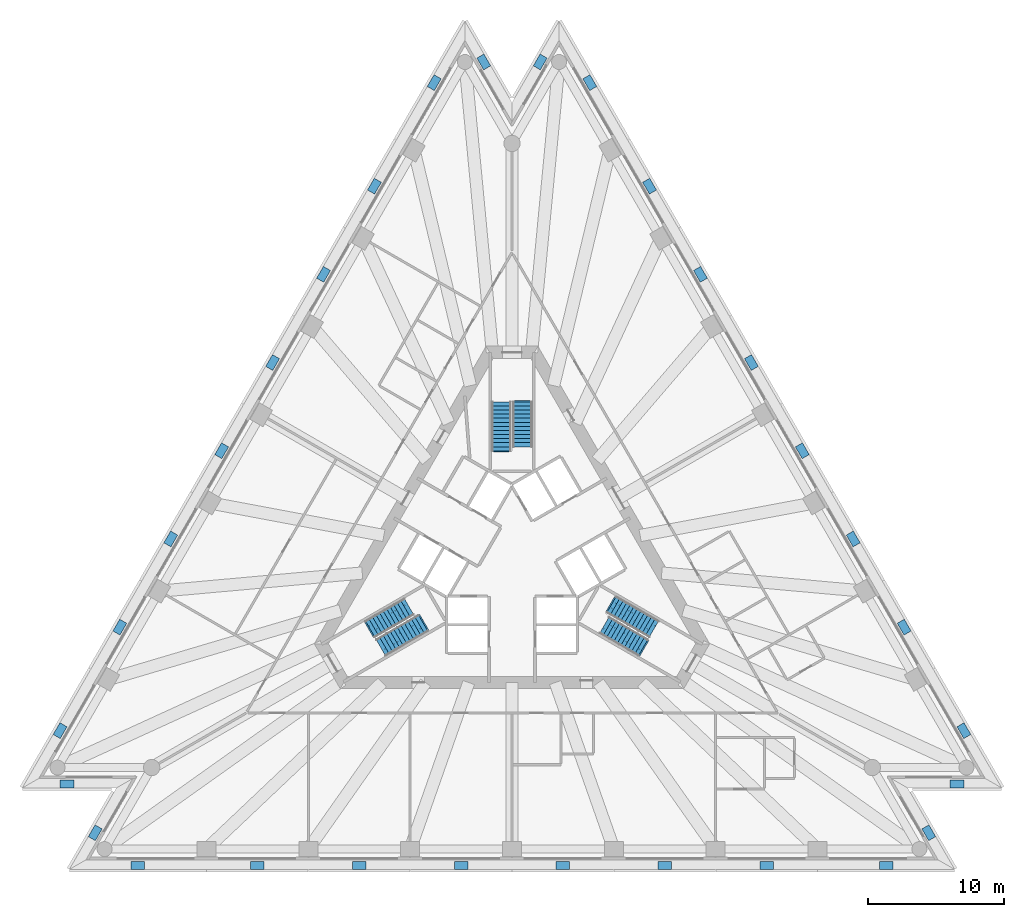
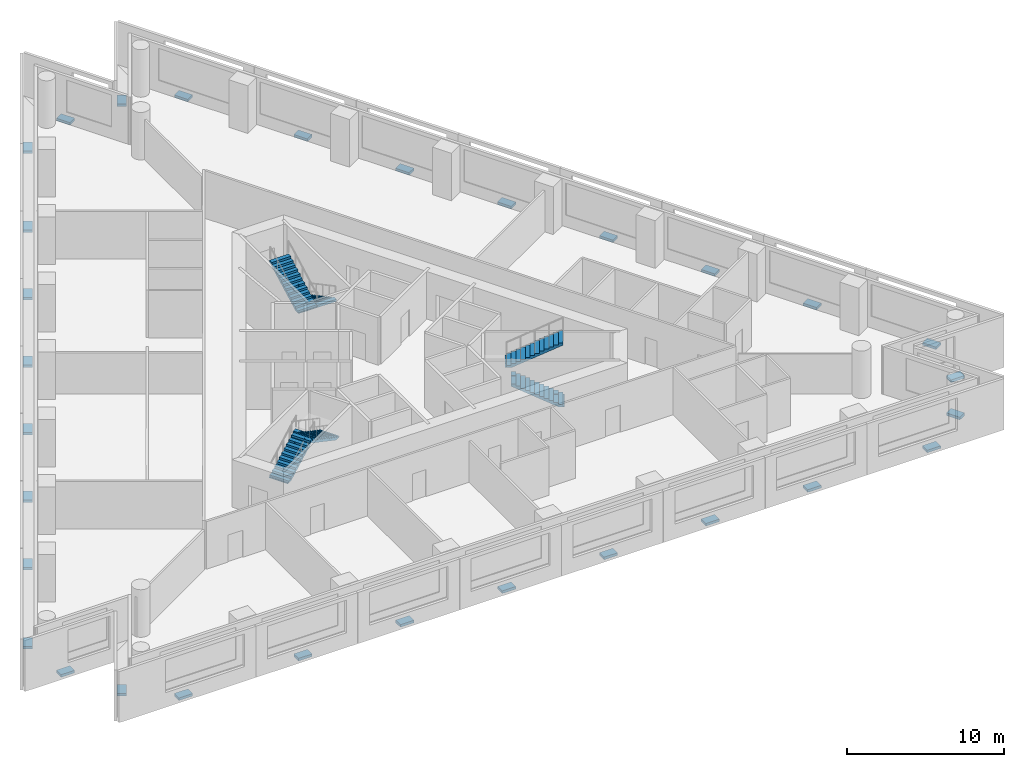
# One storey, part 7 of 9: 30 discrete accessories, 6 stair flights, 3 elements without a shape of their own.
"""IFC4 building model written with IfcOpenShell, lengths in metres."""

from ifc_helpers import new_model, si_unit, direction, frame, origin, origin_2d, place, context, subcontext, project, spatial, polyline, rectangle, outline, extrude, material, type_object, element, aggregate, save


model = new_model("IFC4")

# Units and contexts
model_context = context("Model", 3, precision=1e-05, world=origin(), true_north=direction((0.0, 1.0)))
body_context = subcontext(model_context, "Body", "Model", "MODEL_VIEW")
ifc_project = project(units=[si_unit("LENGTHUNIT", "METRE"), si_unit("AREAUNIT", "SQUARE_METRE"), si_unit("VOLUMEUNIT", "CUBIC_METRE"), si_unit("PLANEANGLEUNIT", "RADIAN"), si_unit("MASSUNIT", "GRAM", prefix="KILO")], contexts=[model_context])

# Site, building, storey
site_placement = place(None, origin())
site = spatial("IfcSite", under=ifc_project, at=site_placement, CompositionType="ELEMENT")
building_placement = place(site_placement, origin())
building = spatial("IfcBuilding", under=site, at=building_placement, Name="Triada Interchange Tower", CompositionType="ELEMENT")
storey_placement = place(building_placement, frame((0.0, 0.0, 51.300048828125)))
storey = spatial("IfcBuildingStorey", under=building, at=storey_placement, Name="L10", CompositionType="ELEMENT", Elevation=51.300048828125)

# Stair, stair flights
ifc_material_1 = material(Name="Concrete C35/45", Category="concrete")
stair_type = type_object("IfcStairType", Name="HALF TURN STAIR 1400", PredefinedType="HALF_TURN_STAIR", material=ifc_material_1)
stair_1_placement = place(storey_placement, origin())
stair_1 = element("IfcStair", 1, at=stair_1_placement, inside=storey, type_object=stair_type, Name="Exit stair S09-1", PredefinedType="HALF_TURN_STAIR")
stair_flight_type = type_object("IfcStairFlightType", Name="STRAIGHT STAIR FLIGHT 1400", PredefinedType="STRAIGHT", material=ifc_material_1)
stair_flight_1_placement = place(storey_placement, frame((0.800048828125, 11.60009765625, 0.0), z_axis=(0.0, 0.0, 1.0), x_axis=(0.0, -1.0, 0.0)))
stair_flight_1 = element("IfcStairFlight", 2, at=stair_flight_1_placement, type_object=stair_flight_type, Name="S09-1 flight 1", NumberOfRisers=12, NumberOfTreads=11, PredefinedType="STRAIGHT", RiserHeight=0.16, TreadLength=0.3, context=body_context, shape_type="SweptSolid", body=[
    extrude(outline(polyline([(-0.10009765625, 0.0), (-0.10009765625, 0.02001953125), (0.0, 0.02001953125), (0.0, 0.159912109375), (0.300048828125, 0.159912109375), (0.300048828125, 0.320068359375), (0.60009765625, 0.320068359375), (0.60009765625, 0.47998046875), (0.89990234375, 0.47998046875), (0.89990234375, 0.639892578125), (1.199951171875, 0.639892578125), (1.199951171875, 0.800048828125), (1.5, 0.800048828125), (1.5, 0.9599609375), (1.800048828125, 0.9599609375), (1.800048828125, 1.1201171875), (2.10009765625, 1.1201171875), (2.10009765625, 1.280029296875), (2.39990234375, 1.280029296875), (2.39990234375, 1.43994140625), (2.699951171875, 1.43994140625), (2.699951171875, 1.60009765625), (3.0, 1.60009765625), (3.0, 1.760009765625), (3.300048828125, 1.760009765625), (3.303955078125, 1.760009765625), (3.303955078125, 1.919921875), (3.303955078125, 1.590087890625), (0.318603515625, 0.0), (-0.10009765625, 0.0)])), frame((0.0, 0.699951171875, 0.0), z_axis=(0.0, -1.0, 0.0), x_axis=(1.0, 0.0, 0.0)), (0.0, 0.0, 1.0), 0.46533203125),
    extrude(outline(polyline([(-0.10009765625, 0.0), (-0.10009765625, 0.02001953125), (0.0, 0.02001953125), (0.0, 0.159912109375), (0.300048828125, 0.159912109375), (0.300048828125, 0.320068359375), (0.60009765625, 0.320068359375), (0.60009765625, 0.47998046875), (0.89990234375, 0.47998046875), (0.89990234375, 0.639892578125), (1.199951171875, 0.639892578125), (1.199951171875, 0.800048828125), (1.5, 0.800048828125), (1.5, 0.9599609375), (1.800048828125, 0.9599609375), (1.800048828125, 1.1201171875), (2.10009765625, 1.1201171875), (2.10009765625, 1.280029296875), (2.39990234375, 1.280029296875), (2.39990234375, 1.43994140625), (2.699951171875, 1.43994140625), (2.699951171875, 1.60009765625), (3.0, 1.60009765625), (3.0, 1.760009765625), (3.300048828125, 1.760009765625), (3.303955078125, 1.760009765625), (3.303955078125, 1.919921875), (3.303955078125, 1.590087890625), (0.318603515625, 0.0), (-0.10009765625, 0.0)])), frame((0.0, 0.232666015625, 0.0), z_axis=(0.0, -1.0, 0.0), x_axis=(1.0, 0.0, 0.0)), (0.0, 0.0, 1.0), 0.46533203125),
    extrude(outline(polyline([(-0.10009765625, 0.0), (-0.10009765625, 0.02001953125), (0.0, 0.02001953125), (0.0, 0.159912109375), (0.300048828125, 0.159912109375), (0.300048828125, 0.320068359375), (0.60009765625, 0.320068359375), (0.60009765625, 0.47998046875), (0.89990234375, 0.47998046875), (0.89990234375, 0.639892578125), (1.199951171875, 0.639892578125), (1.199951171875, 0.800048828125), (1.5, 0.800048828125), (1.5, 0.9599609375), (1.800048828125, 0.9599609375), (1.800048828125, 1.1201171875), (2.10009765625, 1.1201171875), (2.10009765625, 1.280029296875), (2.39990234375, 1.280029296875), (2.39990234375, 1.43994140625), (2.699951171875, 1.43994140625), (2.699951171875, 1.60009765625), (3.0, 1.60009765625), (3.0, 1.760009765625), (3.300048828125, 1.760009765625), (3.303955078125, 1.760009765625), (3.303955078125, 1.919921875), (3.303955078125, 1.590087890625), (0.318603515625, 0.0), (-0.10009765625, 0.0)])), frame((0.0, -0.234619140625, 0.0), z_axis=(0.0, -1.0, 0.0), x_axis=(1.0, 0.0, 0.0)), (0.0, 0.0, 1.0), 0.46533203125),
])
stair_flight_2_placement = place(storey_placement, frame((-0.800048828125, 8.0, 1.919921875), z_axis=(0.0, 0.0, 1.0), x_axis=(0.0, 1.0, 0.0)))
stair_flight_2 = element("IfcStairFlight", 3, at=stair_flight_2_placement, type_object=stair_flight_type, Name="S09-1 flight 2", NumberOfRisers=13, NumberOfTreads=12, PredefinedType="STRAIGHT", RiserHeight=0.16, TreadLength=0.3, context=body_context, shape_type="SweptSolid", body=[
    extrude(outline(polyline([(-0.10009765625, 0.0), (-0.10009765625, 0.02001953125), (0.0, 0.02001953125), (0.0, 0.159912109375), (0.300048828125, 0.159912109375), (0.300048828125, 0.320068359375), (0.60009765625, 0.320068359375), (0.60009765625, 0.47998046875), (0.89990234375, 0.47998046875), (0.89990234375, 0.639892578125), (1.199951171875, 0.639892578125), (1.199951171875, 0.800048828125), (1.5, 0.800048828125), (1.5, 0.9599609375), (1.800048828125, 0.9599609375), (1.800048828125, 1.1201171875), (2.10009765625, 1.1201171875), (2.10009765625, 1.280029296875), (2.39990234375, 1.280029296875), (2.39990234375, 1.43994140625), (2.699951171875, 1.43994140625), (2.699951171875, 1.60009765625), (3.0, 1.60009765625), (3.0, 1.760009765625), (3.300048828125, 1.760009765625), (3.300048828125, 1.919921875), (3.60009765625, 1.919921875), (3.60400390625, 1.919921875), (3.60400390625, 2.080078125), (3.60400390625, 1.75), (0.318603515625, 0.0), (-0.10009765625, 0.0)])), frame((0.0, 0.699951171875, 0.0), z_axis=(0.0, -1.0, 0.0), x_axis=(1.0, 0.0, 0.0)), (0.0, 0.0, 1.0), 0.46533203125),
    extrude(outline(polyline([(-0.10009765625, 0.0), (-0.10009765625, 0.02001953125), (0.0, 0.02001953125), (0.0, 0.159912109375), (0.300048828125, 0.159912109375), (0.300048828125, 0.320068359375), (0.60009765625, 0.320068359375), (0.60009765625, 0.47998046875), (0.89990234375, 0.47998046875), (0.89990234375, 0.639892578125), (1.199951171875, 0.639892578125), (1.199951171875, 0.800048828125), (1.5, 0.800048828125), (1.5, 0.9599609375), (1.800048828125, 0.9599609375), (1.800048828125, 1.1201171875), (2.10009765625, 1.1201171875), (2.10009765625, 1.280029296875), (2.39990234375, 1.280029296875), (2.39990234375, 1.43994140625), (2.699951171875, 1.43994140625), (2.699951171875, 1.60009765625), (3.0, 1.60009765625), (3.0, 1.760009765625), (3.300048828125, 1.760009765625), (3.300048828125, 1.919921875), (3.60009765625, 1.919921875), (3.60400390625, 1.919921875), (3.60400390625, 2.080078125), (3.60400390625, 1.75), (0.318603515625, 0.0), (-0.10009765625, 0.0)])), frame((0.0, 0.232666015625, 0.0), z_axis=(0.0, -1.0, 0.0), x_axis=(1.0, 0.0, 0.0)), (0.0, 0.0, 1.0), 0.46533203125),
    extrude(outline(polyline([(-0.10009765625, 0.0), (-0.10009765625, 0.02001953125), (0.0, 0.02001953125), (0.0, 0.159912109375), (0.300048828125, 0.159912109375), (0.300048828125, 0.320068359375), (0.60009765625, 0.320068359375), (0.60009765625, 0.47998046875), (0.89990234375, 0.47998046875), (0.89990234375, 0.639892578125), (1.199951171875, 0.639892578125), (1.199951171875, 0.800048828125), (1.5, 0.800048828125), (1.5, 0.9599609375), (1.800048828125, 0.9599609375), (1.800048828125, 1.1201171875), (2.10009765625, 1.1201171875), (2.10009765625, 1.280029296875), (2.39990234375, 1.280029296875), (2.39990234375, 1.43994140625), (2.699951171875, 1.43994140625), (2.699951171875, 1.60009765625), (3.0, 1.60009765625), (3.0, 1.760009765625), (3.300048828125, 1.760009765625), (3.300048828125, 1.919921875), (3.60009765625, 1.919921875), (3.60400390625, 1.919921875), (3.60400390625, 2.080078125), (3.60400390625, 1.75), (0.318603515625, 0.0), (-0.10009765625, 0.0)])), frame((0.0, -0.234619140625, 0.0), z_axis=(0.0, -1.0, 0.0), x_axis=(1.0, 0.0, 0.0)), (0.0, 0.0, 1.0), 0.46533203125),
])
aggregate(stair_1, [stair_flight_1, stair_flight_2])

stair_2_placement = place(storey_placement, origin())
stair_2 = element("IfcStair", 4, at=stair_2_placement, inside=storey, type_object=stair_type, Name="Exit stair S09-2", PredefinedType="HALF_TURN_STAIR")
stair_flight_3_placement = place(storey_placement, frame((-10.446044921875, -5.10693359375, 0.0), z_axis=(0.0, 0.0, 1.0), x_axis=(0.866025403784, 0.5, 0.0)))
stair_flight_3 = element("IfcStairFlight", 5, at=stair_flight_3_placement, type_object=stair_flight_type, Name="S09-2 flight 1", NumberOfRisers=12, NumberOfTreads=11, PredefinedType="STRAIGHT", RiserHeight=0.16, TreadLength=0.3, context=body_context, shape_type="SweptSolid", body=[
    extrude(outline(polyline([(-0.10009765625, 0.0), (-0.10009765625, 0.02001953125), (0.0, 0.02001953125), (0.0, 0.159912109375), (0.300048828125, 0.159912109375), (0.300048828125, 0.320068359375), (0.60009765625, 0.320068359375), (0.60009765625, 0.47998046875), (0.89990234375, 0.47998046875), (0.89990234375, 0.639892578125), (1.199951171875, 0.639892578125), (1.199951171875, 0.800048828125), (1.5, 0.800048828125), (1.5, 0.9599609375), (1.800048828125, 0.9599609375), (1.800048828125, 1.1201171875), (2.10009765625, 1.1201171875), (2.10009765625, 1.280029296875), (2.39990234375, 1.280029296875), (2.39990234375, 1.43994140625), (2.699951171875, 1.43994140625), (2.699951171875, 1.60009765625), (3.0, 1.60009765625), (3.0, 1.760009765625), (3.300048828125, 1.760009765625), (3.303955078125, 1.760009765625), (3.303955078125, 1.919921875), (3.303955078125, 1.590087890625), (0.318603515625, 0.0), (-0.10009765625, 0.0)])), frame((0.0, 0.699951171875, 0.0), z_axis=(0.0, -1.0, 0.0), x_axis=(1.0, 0.0, 0.0)), (0.0, 0.0, 1.0), 0.46533203125),
    extrude(outline(polyline([(-0.10009765625, 0.0), (-0.10009765625, 0.02001953125), (0.0, 0.02001953125), (0.0, 0.159912109375), (0.300048828125, 0.159912109375), (0.300048828125, 0.320068359375), (0.60009765625, 0.320068359375), (0.60009765625, 0.47998046875), (0.89990234375, 0.47998046875), (0.89990234375, 0.639892578125), (1.199951171875, 0.639892578125), (1.199951171875, 0.800048828125), (1.5, 0.800048828125), (1.5, 0.9599609375), (1.800048828125, 0.9599609375), (1.800048828125, 1.1201171875), (2.10009765625, 1.1201171875), (2.10009765625, 1.280029296875), (2.39990234375, 1.280029296875), (2.39990234375, 1.43994140625), (2.699951171875, 1.43994140625), (2.699951171875, 1.60009765625), (3.0, 1.60009765625), (3.0, 1.760009765625), (3.300048828125, 1.760009765625), (3.303955078125, 1.760009765625), (3.303955078125, 1.919921875), (3.303955078125, 1.590087890625), (0.318603515625, 0.0), (-0.10009765625, 0.0)])), frame((0.0, 0.232666015625, 0.0), z_axis=(0.0, -1.0, 0.0), x_axis=(1.0, 0.0, 0.0)), (0.0, 0.0, 1.0), 0.46533203125),
    extrude(outline(polyline([(-0.10009765625, 0.0), (-0.10009765625, 0.02001953125), (0.0, 0.02001953125), (0.0, 0.159912109375), (0.300048828125, 0.159912109375), (0.300048828125, 0.320068359375), (0.60009765625, 0.320068359375), (0.60009765625, 0.47998046875), (0.89990234375, 0.47998046875), (0.89990234375, 0.639892578125), (1.199951171875, 0.639892578125), (1.199951171875, 0.800048828125), (1.5, 0.800048828125), (1.5, 0.9599609375), (1.800048828125, 0.9599609375), (1.800048828125, 1.1201171875), (2.10009765625, 1.1201171875), (2.10009765625, 1.280029296875), (2.39990234375, 1.280029296875), (2.39990234375, 1.43994140625), (2.699951171875, 1.43994140625), (2.699951171875, 1.60009765625), (3.0, 1.60009765625), (3.0, 1.760009765625), (3.300048828125, 1.760009765625), (3.303955078125, 1.760009765625), (3.303955078125, 1.919921875), (3.303955078125, 1.590087890625), (0.318603515625, 0.0), (-0.10009765625, 0.0)])), frame((0.0, -0.234619140625, 0.0), z_axis=(0.0, -1.0, 0.0), x_axis=(1.0, 0.0, 0.0)), (0.0, 0.0, 1.0), 0.46533203125),
])
stair_flight_4_placement = place(storey_placement, frame((-6.528076171875, -4.693115234375, 1.919921875), z_axis=(0.0, 0.0, 1.0), x_axis=(-0.866025403784, -0.5, 0.0)))
stair_flight_4 = element("IfcStairFlight", 6, at=stair_flight_4_placement, type_object=stair_flight_type, Name="S09-2 flight 2", NumberOfRisers=13, NumberOfTreads=12, PredefinedType="STRAIGHT", RiserHeight=0.16, TreadLength=0.3, context=body_context, shape_type="SweptSolid", body=[
    extrude(outline(polyline([(-0.10009765625, 0.0), (-0.10009765625, 0.02001953125), (0.0, 0.02001953125), (0.0, 0.159912109375), (0.300048828125, 0.159912109375), (0.300048828125, 0.320068359375), (0.60009765625, 0.320068359375), (0.60009765625, 0.47998046875), (0.89990234375, 0.47998046875), (0.89990234375, 0.639892578125), (1.199951171875, 0.639892578125), (1.199951171875, 0.800048828125), (1.5, 0.800048828125), (1.5, 0.9599609375), (1.800048828125, 0.9599609375), (1.800048828125, 1.1201171875), (2.10009765625, 1.1201171875), (2.10009765625, 1.280029296875), (2.39990234375, 1.280029296875), (2.39990234375, 1.43994140625), (2.699951171875, 1.43994140625), (2.699951171875, 1.60009765625), (3.0, 1.60009765625), (3.0, 1.760009765625), (3.300048828125, 1.760009765625), (3.300048828125, 1.919921875), (3.60009765625, 1.919921875), (3.60400390625, 1.919921875), (3.60400390625, 2.080078125), (3.60400390625, 1.75), (0.318603515625, 0.0), (-0.10009765625, 0.0)])), frame((0.0, 0.699951171875, 0.0), z_axis=(0.0, -1.0, 0.0), x_axis=(1.0, 0.0, 0.0)), (0.0, 0.0, 1.0), 0.46533203125),
    extrude(outline(polyline([(-0.10009765625, 0.0), (-0.10009765625, 0.02001953125), (0.0, 0.02001953125), (0.0, 0.159912109375), (0.300048828125, 0.159912109375), (0.300048828125, 0.320068359375), (0.60009765625, 0.320068359375), (0.60009765625, 0.47998046875), (0.89990234375, 0.47998046875), (0.89990234375, 0.639892578125), (1.199951171875, 0.639892578125), (1.199951171875, 0.800048828125), (1.5, 0.800048828125), (1.5, 0.9599609375), (1.800048828125, 0.9599609375), (1.800048828125, 1.1201171875), (2.10009765625, 1.1201171875), (2.10009765625, 1.280029296875), (2.39990234375, 1.280029296875), (2.39990234375, 1.43994140625), (2.699951171875, 1.43994140625), (2.699951171875, 1.60009765625), (3.0, 1.60009765625), (3.0, 1.760009765625), (3.300048828125, 1.760009765625), (3.300048828125, 1.919921875), (3.60009765625, 1.919921875), (3.60400390625, 1.919921875), (3.60400390625, 2.080078125), (3.60400390625, 1.75), (0.318603515625, 0.0), (-0.10009765625, 0.0)])), frame((0.0, 0.232666015625, 0.0), z_axis=(0.0, -1.0, 0.0), x_axis=(1.0, 0.0, 0.0)), (0.0, 0.0, 1.0), 0.46533203125),
    extrude(outline(polyline([(-0.10009765625, 0.0), (-0.10009765625, 0.02001953125), (0.0, 0.02001953125), (0.0, 0.159912109375), (0.300048828125, 0.159912109375), (0.300048828125, 0.320068359375), (0.60009765625, 0.320068359375), (0.60009765625, 0.47998046875), (0.89990234375, 0.47998046875), (0.89990234375, 0.639892578125), (1.199951171875, 0.639892578125), (1.199951171875, 0.800048828125), (1.5, 0.800048828125), (1.5, 0.9599609375), (1.800048828125, 0.9599609375), (1.800048828125, 1.1201171875), (2.10009765625, 1.1201171875), (2.10009765625, 1.280029296875), (2.39990234375, 1.280029296875), (2.39990234375, 1.43994140625), (2.699951171875, 1.43994140625), (2.699951171875, 1.60009765625), (3.0, 1.60009765625), (3.0, 1.760009765625), (3.300048828125, 1.760009765625), (3.300048828125, 1.919921875), (3.60009765625, 1.919921875), (3.60400390625, 1.919921875), (3.60400390625, 2.080078125), (3.60400390625, 1.75), (0.318603515625, 0.0), (-0.10009765625, 0.0)])), frame((0.0, -0.234619140625, 0.0), z_axis=(0.0, -1.0, 0.0), x_axis=(1.0, 0.0, 0.0)), (0.0, 0.0, 1.0), 0.46533203125),
])
aggregate(stair_2, [stair_flight_3, stair_flight_4])

stair_3_placement = place(storey_placement, origin())
stair_3 = element("IfcStair", 7, at=stair_3_placement, inside=storey, type_object=stair_type, Name="Exit stair S09-3", PredefinedType="HALF_TURN_STAIR")
stair_flight_5_placement = place(storey_placement, frame((9.64599609375, -6.492919921875, 0.0), z_axis=(0.0, 0.0, 1.0), x_axis=(-0.866025403784, 0.5, 0.0)))
stair_flight_5 = element("IfcStairFlight", 8, at=stair_flight_5_placement, type_object=stair_flight_type, Name="S09-3 flight 1", NumberOfRisers=12, NumberOfTreads=11, PredefinedType="STRAIGHT", RiserHeight=0.16, TreadLength=0.3, context=body_context, shape_type="SweptSolid", body=[
    extrude(outline(polyline([(-0.10009765625, 0.0), (-0.10009765625, 0.02001953125), (0.0, 0.02001953125), (0.0, 0.159912109375), (0.300048828125, 0.159912109375), (0.300048828125, 0.320068359375), (0.60009765625, 0.320068359375), (0.60009765625, 0.47998046875), (0.89990234375, 0.47998046875), (0.89990234375, 0.639892578125), (1.199951171875, 0.639892578125), (1.199951171875, 0.800048828125), (1.5, 0.800048828125), (1.5, 0.9599609375), (1.800048828125, 0.9599609375), (1.800048828125, 1.1201171875), (2.10009765625, 1.1201171875), (2.10009765625, 1.280029296875), (2.39990234375, 1.280029296875), (2.39990234375, 1.43994140625), (2.699951171875, 1.43994140625), (2.699951171875, 1.60009765625), (3.0, 1.60009765625), (3.0, 1.760009765625), (3.300048828125, 1.760009765625), (3.303955078125, 1.760009765625), (3.303955078125, 1.919921875), (3.303955078125, 1.590087890625), (0.318603515625, 0.0), (-0.10009765625, 0.0)])), frame((0.0, 0.699951171875, 0.0), z_axis=(0.0, -1.0, 0.0), x_axis=(1.0, 0.0, 0.0)), (0.0, 0.0, 1.0), 0.46533203125),
    extrude(outline(polyline([(-0.10009765625, 0.0), (-0.10009765625, 0.02001953125), (0.0, 0.02001953125), (0.0, 0.159912109375), (0.300048828125, 0.159912109375), (0.300048828125, 0.320068359375), (0.60009765625, 0.320068359375), (0.60009765625, 0.47998046875), (0.89990234375, 0.47998046875), (0.89990234375, 0.639892578125), (1.199951171875, 0.639892578125), (1.199951171875, 0.800048828125), (1.5, 0.800048828125), (1.5, 0.9599609375), (1.800048828125, 0.9599609375), (1.800048828125, 1.1201171875), (2.10009765625, 1.1201171875), (2.10009765625, 1.280029296875), (2.39990234375, 1.280029296875), (2.39990234375, 1.43994140625), (2.699951171875, 1.43994140625), (2.699951171875, 1.60009765625), (3.0, 1.60009765625), (3.0, 1.760009765625), (3.300048828125, 1.760009765625), (3.303955078125, 1.760009765625), (3.303955078125, 1.919921875), (3.303955078125, 1.590087890625), (0.318603515625, 0.0), (-0.10009765625, 0.0)])), frame((0.0, 0.232666015625, 0.0), z_axis=(0.0, -1.0, 0.0), x_axis=(1.0, 0.0, 0.0)), (0.0, 0.0, 1.0), 0.46533203125),
    extrude(outline(polyline([(-0.10009765625, 0.0), (-0.10009765625, 0.02001953125), (0.0, 0.02001953125), (0.0, 0.159912109375), (0.300048828125, 0.159912109375), (0.300048828125, 0.320068359375), (0.60009765625, 0.320068359375), (0.60009765625, 0.47998046875), (0.89990234375, 0.47998046875), (0.89990234375, 0.639892578125), (1.199951171875, 0.639892578125), (1.199951171875, 0.800048828125), (1.5, 0.800048828125), (1.5, 0.9599609375), (1.800048828125, 0.9599609375), (1.800048828125, 1.1201171875), (2.10009765625, 1.1201171875), (2.10009765625, 1.280029296875), (2.39990234375, 1.280029296875), (2.39990234375, 1.43994140625), (2.699951171875, 1.43994140625), (2.699951171875, 1.60009765625), (3.0, 1.60009765625), (3.0, 1.760009765625), (3.300048828125, 1.760009765625), (3.303955078125, 1.760009765625), (3.303955078125, 1.919921875), (3.303955078125, 1.590087890625), (0.318603515625, 0.0), (-0.10009765625, 0.0)])), frame((0.0, -0.234619140625, 0.0), z_axis=(0.0, -1.0, 0.0), x_axis=(1.0, 0.0, 0.0)), (0.0, 0.0, 1.0), 0.46533203125),
])
stair_flight_6_placement = place(storey_placement, frame((7.327880859375, -3.306884765625, 1.919921875), z_axis=(0.0, 0.0, 1.0), x_axis=(0.866025403784, -0.5, 0.0)))
stair_flight_6 = element("IfcStairFlight", 9, at=stair_flight_6_placement, type_object=stair_flight_type, Name="S09-3 flight 2", NumberOfRisers=13, NumberOfTreads=12, PredefinedType="STRAIGHT", RiserHeight=0.16, TreadLength=0.3, context=body_context, shape_type="SweptSolid", body=[
    extrude(outline(polyline([(-0.10009765625, 0.0), (-0.10009765625, 0.02001953125), (0.0, 0.02001953125), (0.0, 0.159912109375), (0.300048828125, 0.159912109375), (0.300048828125, 0.320068359375), (0.60009765625, 0.320068359375), (0.60009765625, 0.47998046875), (0.89990234375, 0.47998046875), (0.89990234375, 0.639892578125), (1.199951171875, 0.639892578125), (1.199951171875, 0.800048828125), (1.5, 0.800048828125), (1.5, 0.9599609375), (1.800048828125, 0.9599609375), (1.800048828125, 1.1201171875), (2.10009765625, 1.1201171875), (2.10009765625, 1.280029296875), (2.39990234375, 1.280029296875), (2.39990234375, 1.43994140625), (2.699951171875, 1.43994140625), (2.699951171875, 1.60009765625), (3.0, 1.60009765625), (3.0, 1.760009765625), (3.300048828125, 1.760009765625), (3.300048828125, 1.919921875), (3.60009765625, 1.919921875), (3.60400390625, 1.919921875), (3.60400390625, 2.080078125), (3.60400390625, 1.75), (0.318603515625, 0.0), (-0.10009765625, 0.0)])), frame((0.0, 0.699951171875, 0.0), z_axis=(0.0, -1.0, 0.0), x_axis=(1.0, 0.0, 0.0)), (0.0, 0.0, 1.0), 0.46533203125),
    extrude(outline(polyline([(-0.10009765625, 0.0), (-0.10009765625, 0.02001953125), (0.0, 0.02001953125), (0.0, 0.159912109375), (0.300048828125, 0.159912109375), (0.300048828125, 0.320068359375), (0.60009765625, 0.320068359375), (0.60009765625, 0.47998046875), (0.89990234375, 0.47998046875), (0.89990234375, 0.639892578125), (1.199951171875, 0.639892578125), (1.199951171875, 0.800048828125), (1.5, 0.800048828125), (1.5, 0.9599609375), (1.800048828125, 0.9599609375), (1.800048828125, 1.1201171875), (2.10009765625, 1.1201171875), (2.10009765625, 1.280029296875), (2.39990234375, 1.280029296875), (2.39990234375, 1.43994140625), (2.699951171875, 1.43994140625), (2.699951171875, 1.60009765625), (3.0, 1.60009765625), (3.0, 1.760009765625), (3.300048828125, 1.760009765625), (3.300048828125, 1.919921875), (3.60009765625, 1.919921875), (3.60400390625, 1.919921875), (3.60400390625, 2.080078125), (3.60400390625, 1.75), (0.318603515625, 0.0), (-0.10009765625, 0.0)])), frame((0.0, 0.232666015625, 0.0), z_axis=(0.0, -1.0, 0.0), x_axis=(1.0, 0.0, 0.0)), (0.0, 0.0, 1.0), 0.46533203125),
    extrude(outline(polyline([(-0.10009765625, 0.0), (-0.10009765625, 0.02001953125), (0.0, 0.02001953125), (0.0, 0.159912109375), (0.300048828125, 0.159912109375), (0.300048828125, 0.320068359375), (0.60009765625, 0.320068359375), (0.60009765625, 0.47998046875), (0.89990234375, 0.47998046875), (0.89990234375, 0.639892578125), (1.199951171875, 0.639892578125), (1.199951171875, 0.800048828125), (1.5, 0.800048828125), (1.5, 0.9599609375), (1.800048828125, 0.9599609375), (1.800048828125, 1.1201171875), (2.10009765625, 1.1201171875), (2.10009765625, 1.280029296875), (2.39990234375, 1.280029296875), (2.39990234375, 1.43994140625), (2.699951171875, 1.43994140625), (2.699951171875, 1.60009765625), (3.0, 1.60009765625), (3.0, 1.760009765625), (3.300048828125, 1.760009765625), (3.300048828125, 1.919921875), (3.60009765625, 1.919921875), (3.60400390625, 1.919921875), (3.60400390625, 2.080078125), (3.60400390625, 1.75), (0.318603515625, 0.0), (-0.10009765625, 0.0)])), frame((0.0, -0.234619140625, 0.0), z_axis=(0.0, -1.0, 0.0), x_axis=(1.0, 0.0, 0.0)), (0.0, 0.0, 1.0), 0.46533203125),
])
aggregate(stair_3, [stair_flight_5, stair_flight_6])

# Discrete accessories
ifc_material_2 = material(Name="Steel S355", Category="steel")
discrete_accessory_type = type_object("IfcDiscreteAccessoryType", Name="Steel bracket outer skin", PredefinedType="BRACKET", material=ifc_material_2)
for number, where, z_axis, x_axis, name in (
    (10, (-5.72607421875, 35.096923828125, -0.27001953125), (0.0, 0.0, 1.0), (-0.866025866296, 0.499999198905, 0.0), "Bracket L10 01"),
    (11, (-10.123046875, 27.48095703125, -0.27001953125), (0.0, 0.0, 1.0), (-0.866025866296, 0.499999198905, 0.0), "Bracket L10 02"),
    (12, (-13.8701171875, 20.989990234375, -0.27001953125), (0.0, 0.0, 1.0), (-0.866025866296, 0.499999198905, 0.0), "Bracket L10 03"),
    (13, (-17.617919921875, 14.4990234375, -0.27001953125), (0.0, 0.0, 1.0), (-0.866025866296, 0.499999198905, 0.0), "Bracket L10 04"),
    (14, (-21.365966796875, 8.008056640625, -0.27001953125), (0.0, 0.0, 1.0), (-0.866025866296, 0.499999198905, 0.0), "Bracket L10 05"),
    (15, (-25.113037109375, 1.51708984375, -0.27001953125), (0.0, 0.0, 1.0), (-0.866025866296, 0.499999198905, 0.0), "Bracket L10 06"),
    (16, (-28.861083984375, -4.97412109375, -0.27001953125), (0.0, 0.0, 1.0), (-0.866025866296, 0.499999198905, 0.0), "Bracket L10 07"),
    (17, (-33.258056640625, -12.590087890625, -0.27001953125), (0.0, 0.0, 1.0), (-0.866025866296, 0.499999198905, 0.0), "Bracket L10 08"),
    (18, (-32.751953125, -16.510986328125, -0.27001953125), (0.0, 0.0, 1.0), (0.0, -1.0, 0.0), "Bracket L10 09"),
    (19, (-30.675048828125, -20.10888671875, -0.27001953125), (0.0, 0.0, 1.0), (-0.866012409516, 0.500022506058, 0.0), "Bracket L10 10"),
    (20, (-27.531982421875, -22.507080078125, -0.27001953125), (0.0, 0.0, 1.0), (0.0, -1.0, 0.0), "Bracket L10 11"),
    (21, (-18.738037109375, -22.507080078125, -0.27001953125), (0.0, 0.0, 1.0), (0.0, -1.0, 0.0), "Bracket L10 12"),
    (22, (-11.242919921875, -22.507080078125, -0.27001953125), (0.0, 0.0, 1.0), (0.0, -1.0, 0.0), "Bracket L10 13"),
    (23, (-3.748046875, -22.507080078125, -0.27001953125), (0.0, 0.0, 1.0), (0.0, -1.0, 0.0), "Bracket L10 14"),
    (24, (3.748046875, -22.507080078125, -0.27001953125), (0.0, 0.0, 1.0), (0.0, -1.0, 0.0), "Bracket L10 15"),
    (25, (11.242919921875, -22.507080078125, -0.27001953125), (0.0, 0.0, 1.0), (0.0, -1.0, 0.0), "Bracket L10 16"),
    (26, (18.738037109375, -22.507080078125, -0.27001953125), (0.0, 0.0, 1.0), (0.0, -1.0, 0.0), "Bracket L10 17"),
    (27, (27.531982421875, -22.507080078125, -0.27001953125), (0.0, 0.0, 1.0), (0.0, -1.0, 0.0), "Bracket L10 18"),
    (28, (30.675048828125, -20.10888671875, -0.27001953125), (0.0, 0.0, 1.0), (0.866012409516, 0.500022506058, 0.0), "Bracket L10 19"),
    (29, (32.751953125, -16.510986328125, -0.27001953125), (0.0, 0.0, 1.0), (0.0, -1.0, 0.0), "Bracket L10 20"),
    (30, (33.258056640625, -12.590087890625, -0.27001953125), (0.0, 0.0, 1.0), (0.866025866296, 0.499999198905, 0.0), "Bracket L10 21"),
    (31, (28.861083984375, -4.97412109375, -0.27001953125), (0.0, 0.0, 1.0), (0.866025866296, 0.499999198905, 0.0), "Bracket L10 22"),
    (32, (25.113037109375, 1.51708984375, -0.27001953125), (0.0, 0.0, 1.0), (0.866025866296, 0.499999198905, 0.0), "Bracket L10 23"),
    (33, (21.365966796875, 8.008056640625, -0.27001953125), (0.0, 0.0, 1.0), (0.866025866296, 0.499999198905, 0.0), "Bracket L10 24"),
    (34, (17.617919921875, 14.4990234375, -0.27001953125), (0.0, 0.0, 1.0), (0.866025866296, 0.499999198905, 0.0), "Bracket L10 25"),
    (35, (13.8701171875, 20.989990234375, -0.27001953125), (0.0, 0.0, 1.0), (0.866025866296, 0.499999198905, 0.0), "Bracket L10 26"),
    (36, (10.123046875, 27.48095703125, -0.27001953125), (0.0, 0.0, 1.0), (0.866025866296, 0.499999198905, 0.0), "Bracket L10 27"),
    (37, (5.72607421875, 35.096923828125, -0.27001953125), (0.0, 0.0, 1.0), (0.866025866296, 0.499999198905, 0.0), "Bracket L10 28"),
    (38, (2.076904296875, 36.6201171875, -0.27001953125), (0.0, 0.0, 1.0), (-0.866012409516, 0.500022506058, 0.0), "Bracket L10 29"),
    (39, (-2.076904296875, 36.6201171875, -0.27001953125), (0.0, 0.0, 1.0), (0.866012409516, 0.500022506058, 0.0), "Bracket L10 30"),
):
    element("IfcDiscreteAccessory", number, at=place(storey_placement, frame(where, z_axis=z_axis, x_axis=x_axis)), inside=storey, type_object=discrete_accessory_type, Name=name, PredefinedType="BRACKET", context=body_context, shape_type="SweptSolid", body=[
        extrude(rectangle(XDim=0.60009765625, YDim=1.0, at=origin_2d()), origin(), (0.0, 0.0, 1.0), 0.199951171875),
    ])

save(model, "model.ifc")
